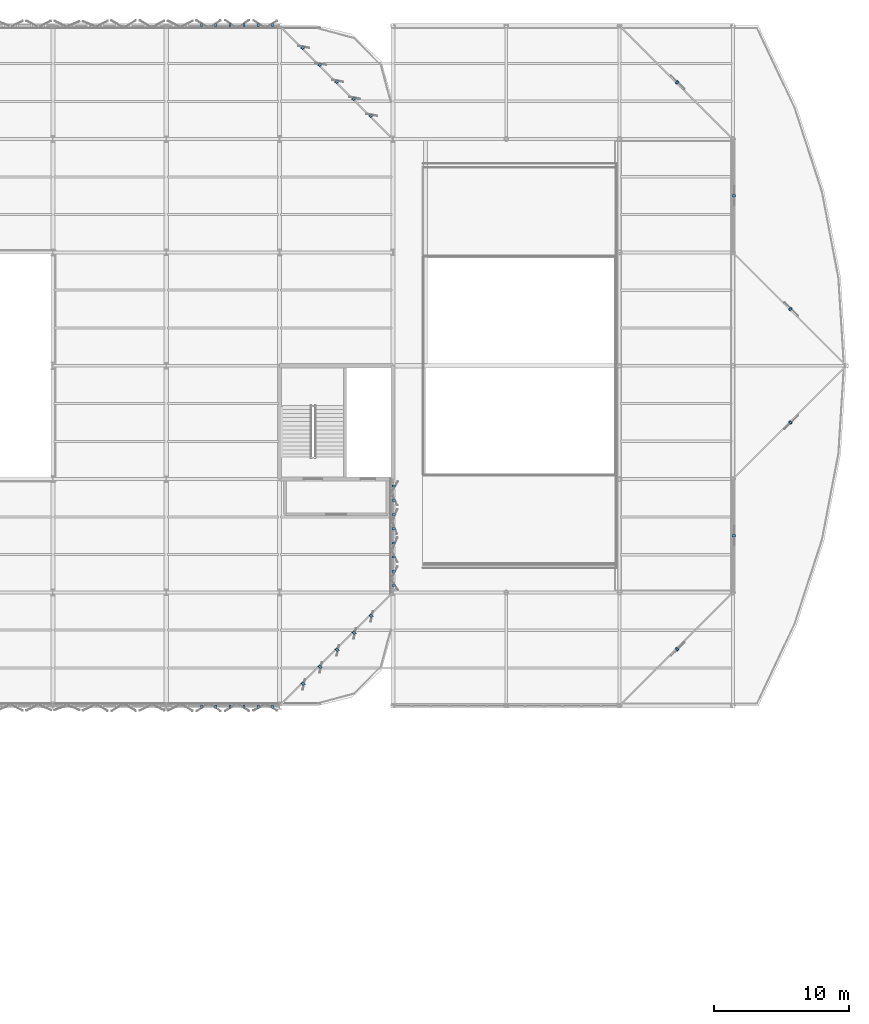
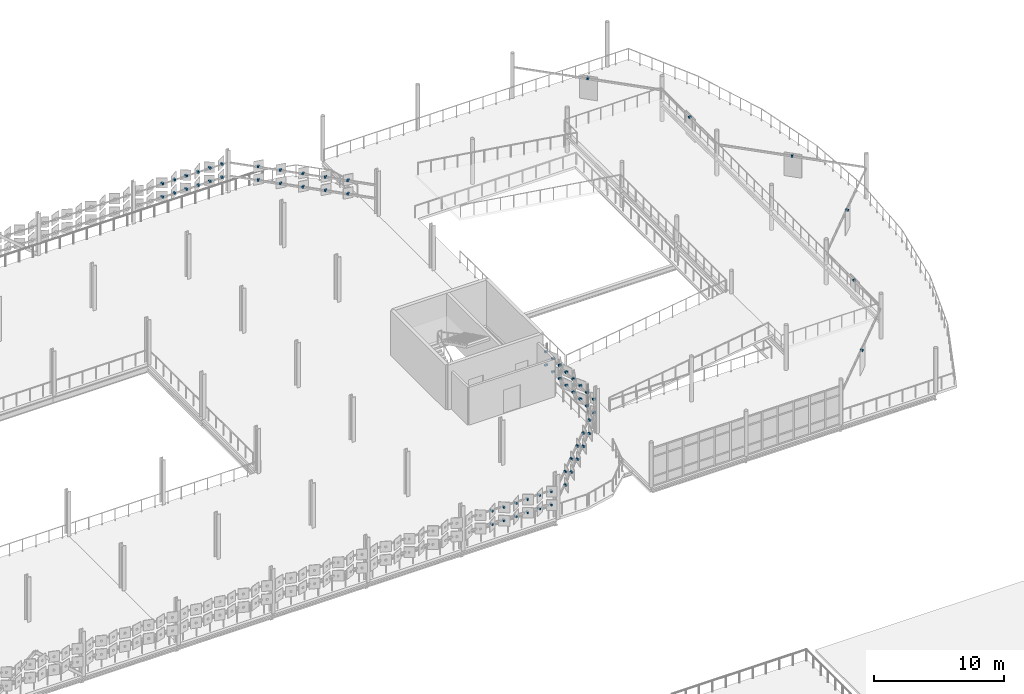
# One storey, part 61 of 69: 66 discrete accessories.
"""IFC4 building model written with IfcOpenShell, lengths in metres."""

from ifc_helpers import new_model, si_unit, direction, frame, origin, origin_2d, place, context, subcontext, project, spatial, rectangle, extrude, material, type_object, element, save


model = new_model("IFC4")

# Units and contexts
model_context = context("Model", 3, precision=1e-05, world=origin(), true_north=direction((0.0, 1.0)))
body_context = subcontext(model_context, "Body", "Model", "MODEL_VIEW")
ifc_project = project(units=[si_unit("LENGTHUNIT", "METRE"), si_unit("AREAUNIT", "SQUARE_METRE"), si_unit("VOLUMEUNIT", "CUBIC_METRE"), si_unit("PLANEANGLEUNIT", "RADIAN"), si_unit("MASSUNIT", "GRAM", prefix="KILO")], contexts=[model_context])

# Site, building, storey
site_placement = place(None, origin())
site = spatial("IfcSite", under=ifc_project, at=site_placement, CompositionType="ELEMENT")
building_placement = place(site_placement, origin())
building = spatial("IfcBuilding", under=site, at=building_placement, Name="Qalvenar Corner Mobility Hub", CompositionType="ELEMENT")
storey_placement = place(building_placement, frame((0.0, 0.0, 13.199951171875)))
storey = spatial("IfcBuildingStorey", under=building, at=storey_placement, Name="L03", CompositionType="ELEMENT", Elevation=13.199951171875)

# Discrete accessories
ifc_material = material(Name="Steel S355", Category="steel")
discrete_accessory_type = type_object("IfcDiscreteAccessoryType", Name="ACC-HINGE-BRK", PredefinedType="BRACKET", material=ifc_material)
for number, where, z_axis, x_axis, name in (
    (1, (128.625, 67.1201171875, 1.419921875), (0.0, 0.0, 1.0), (1.0, 0.0, 0.0), "Panel Hinge Bracket BK-L03-0837"),
    (2, (128.625, 67.1201171875, 2.669921875), (0.0, 0.0, 1.0), (1.0, 0.0, 0.0), "Panel Hinge Bracket BK-L03-0838"),
    (3, (129.675048828125, 67.1201171875, 1.419921875), (0.0, 0.0, 1.0), (1.0, 0.0, 0.0), "Panel Hinge Bracket BK-L03-0839"),
    (4, (129.675048828125, 67.1201171875, 2.669921875), (0.0, 0.0, 1.0), (1.0, 0.0, 0.0), "Panel Hinge Bracket BK-L03-0840"),
    (5, (130.72509765625, 67.1201171875, 1.419921875), (0.0, 0.0, 1.0), (1.0, 0.0, 0.0), "Panel Hinge Bracket BK-L03-0841"),
    (6, (130.72509765625, 67.1201171875, 2.669921875), (0.0, 0.0, 1.0), (1.0, 0.0, 0.0), "Panel Hinge Bracket BK-L03-0842"),
    (7, (131.77490234375, 67.1201171875, 1.419921875), (0.0, 0.0, 1.0), (1.0, 0.0, 0.0), "Panel Hinge Bracket BK-L03-0843"),
    (8, (131.77490234375, 67.1201171875, 2.669921875), (0.0, 0.0, 1.0), (1.0, 0.0, 0.0), "Panel Hinge Bracket BK-L03-0844"),
    (9, (132.824951171875, 67.1201171875, 1.419921875), (0.0, 0.0, 1.0), (1.0, 0.0, 0.0), "Panel Hinge Bracket BK-L03-0845"),
    (10, (132.824951171875, 67.1201171875, 2.669921875), (0.0, 0.0, 1.0), (1.0, 0.0, 0.0), "Panel Hinge Bracket BK-L03-0846"),
    (11, (133.875, 67.1201171875, 1.419921875), (0.0, 0.0, 1.0), (1.0, 0.0, 0.0), "Panel Hinge Bracket BK-L03-0847"),
    (12, (133.875, 67.1201171875, 2.669921875), (0.0, 0.0, 1.0), (1.0, 0.0, 0.0), "Panel Hinge Bracket BK-L03-0848"),
    (13, (133.875, 117.679931640625, 1.419921875), (0.0, 0.0, 1.0), (-1.0, 0.0, 0.0), "Panel Hinge Bracket BK-L03-0849"),
    (14, (133.875, 117.679931640625, 2.669921875), (0.0, 0.0, 1.0), (-1.0, 0.0, 0.0), "Panel Hinge Bracket BK-L03-0850"),
    (15, (132.824951171875, 117.679931640625, 1.419921875), (0.0, 0.0, 1.0), (-1.0, 0.0, 0.0), "Panel Hinge Bracket BK-L03-0851"),
    (16, (132.824951171875, 117.679931640625, 2.669921875), (0.0, 0.0, 1.0), (-1.0, 0.0, 0.0), "Panel Hinge Bracket BK-L03-0852"),
    (17, (131.77490234375, 117.679931640625, 1.419921875), (0.0, 0.0, 1.0), (-1.0, 0.0, 0.0), "Panel Hinge Bracket BK-L03-0853"),
    (18, (131.77490234375, 117.679931640625, 2.669921875), (0.0, 0.0, 1.0), (-1.0, 0.0, 0.0), "Panel Hinge Bracket BK-L03-0854"),
    (19, (130.72509765625, 117.679931640625, 1.419921875), (0.0, 0.0, 1.0), (-1.0, 0.0, 0.0), "Panel Hinge Bracket BK-L03-0855"),
    (20, (130.72509765625, 117.679931640625, 2.669921875), (0.0, 0.0, 1.0), (-1.0, 0.0, 0.0), "Panel Hinge Bracket BK-L03-0856"),
    (21, (129.675048828125, 117.679931640625, 1.419921875), (0.0, 0.0, 1.0), (-1.0, 0.0, 0.0), "Panel Hinge Bracket BK-L03-0857"),
    (22, (129.675048828125, 117.679931640625, 2.669921875), (0.0, 0.0, 1.0), (-1.0, 0.0, 0.0), "Panel Hinge Bracket BK-L03-0858"),
    (23, (128.625, 117.679931640625, 1.419921875), (0.0, 0.0, 1.0), (-1.0, 0.0, 0.0), "Panel Hinge Bracket BK-L03-0859"),
    (24, (128.625, 117.679931640625, 2.669921875), (0.0, 0.0, 1.0), (-1.0, 0.0, 0.0), "Panel Hinge Bracket BK-L03-0860"),
    (25, (142.8798828125, 76.125, 1.419921875), (0.0, 0.0, 1.0), (0.0, 1.0, 0.0), "Panel Hinge Bracket BK-L03-1025"),
    (26, (142.8798828125, 76.125, 2.669921875), (0.0, 0.0, 1.0), (0.0, 1.0, 0.0), "Panel Hinge Bracket BK-L03-1026"),
    (27, (142.8798828125, 77.175048828125, 1.419921875), (0.0, 0.0, 1.0), (0.0, 1.0, 0.0), "Panel Hinge Bracket BK-L03-1027"),
    (28, (142.8798828125, 77.175048828125, 2.669921875), (0.0, 0.0, 1.0), (0.0, 1.0, 0.0), "Panel Hinge Bracket BK-L03-1028"),
    (29, (142.8798828125, 78.22509765625, 1.419921875), (0.0, 0.0, 1.0), (0.0, 1.0, 0.0), "Panel Hinge Bracket BK-L03-1029"),
    (30, (142.8798828125, 78.22509765625, 2.669921875), (0.0, 0.0, 1.0), (0.0, 1.0, 0.0), "Panel Hinge Bracket BK-L03-1030"),
    (31, (142.8798828125, 79.27490234375, 1.419921875), (0.0, 0.0, 1.0), (0.0, 1.0, 0.0), "Panel Hinge Bracket BK-L03-1031"),
    (32, (142.8798828125, 79.27490234375, 2.669921875), (0.0, 0.0, 1.0), (0.0, 1.0, 0.0), "Panel Hinge Bracket BK-L03-1032"),
    (33, (142.8798828125, 80.324951171875, 1.419921875), (0.0, 0.0, 1.0), (0.0, 1.0, 0.0), "Panel Hinge Bracket BK-L03-1033"),
    (34, (142.8798828125, 80.324951171875, 2.669921875), (0.0, 0.0, 1.0), (0.0, 1.0, 0.0), "Panel Hinge Bracket BK-L03-1034"),
    (35, (142.8798828125, 81.375, 1.419921875), (0.0, 0.0, 1.0), (0.0, 1.0, 0.0), "Panel Hinge Bracket BK-L03-1035"),
    (36, (142.8798828125, 81.375, 2.669921875), (0.0, 0.0, 1.0), (0.0, 1.0, 0.0), "Panel Hinge Bracket BK-L03-1036"),
    (37, (142.8798828125, 82.425048828125, 1.419921875), (0.0, 0.0, 1.0), (0.0, 1.0, 0.0), "Panel Hinge Bracket BK-L03-1037"),
    (38, (142.8798828125, 82.425048828125, 2.669921875), (0.0, 0.0, 1.0), (0.0, 1.0, 0.0), "Panel Hinge Bracket BK-L03-1038"),
    (39, (142.8798828125, 83.47509765625, 1.419921875), (0.0, 0.0, 1.0), (0.0, 1.0, 0.0), "Panel Hinge Bracket BK-L03-1039"),
    (40, (142.8798828125, 83.47509765625, 2.669921875), (0.0, 0.0, 1.0), (0.0, 1.0, 0.0), "Panel Hinge Bracket BK-L03-1040"),
    (41, (136.13671875, 68.823486328125, 1.419921875), (0.0, 0.0, 1.0), (0.707106781187, 0.707106781187, 0.0), "Corner Hinge Bracket BKC-L03-1051"),
    (42, (137.396484375, 70.08349609375, 1.419921875), (0.0, 0.0, 1.0), (0.707106781187, 0.707106781187, 0.0), "Corner Hinge Bracket BKC-L03-1052"),
    (43, (138.656494140625, 71.343505859375, 1.419921875), (0.0, 0.0, 1.0), (0.707106781187, 0.707106781187, 0.0), "Corner Hinge Bracket BKC-L03-1053"),
    (44, (139.91650390625, 72.603515625, 1.419921875), (0.0, 0.0, 1.0), (0.707106781187, 0.707106781187, 0.0), "Corner Hinge Bracket BKC-L03-1054"),
    (45, (141.176513671875, 73.86328125, 1.419921875), (0.0, 0.0, 1.0), (0.707106781187, 0.707106781187, 0.0), "Corner Hinge Bracket BKC-L03-1055"),
    (46, (136.13671875, 68.823486328125, 2.669921875), (0.0, 0.0, 1.0), (0.707106781187, 0.707106781187, 0.0), "Corner Hinge Bracket BKC-L03-1056"),
    (47, (137.396484375, 70.08349609375, 2.669921875), (0.0, 0.0, 1.0), (0.707106781187, 0.707106781187, 0.0), "Corner Hinge Bracket BKC-L03-1057"),
    (48, (138.656494140625, 71.343505859375, 2.669921875), (0.0, 0.0, 1.0), (0.707106781187, 0.707106781187, 0.0), "Corner Hinge Bracket BKC-L03-1058"),
    (49, (139.91650390625, 72.603515625, 2.669921875), (0.0, 0.0, 1.0), (0.707106781187, 0.707106781187, 0.0), "Corner Hinge Bracket BKC-L03-1059"),
    (50, (141.176513671875, 73.86328125, 2.669921875), (0.0, 0.0, 1.0), (0.707106781187, 0.707106781187, 0.0), "Corner Hinge Bracket BKC-L03-1060"),
    (51, (141.176513671875, 110.9365234375, 1.419921875), (0.0, 0.0, 1.0), (-0.707106781187, 0.707106781187, 0.0), "Corner Hinge Bracket BKC-L03-1061"),
    (52, (139.91650390625, 112.196533203125, 1.419921875), (0.0, 0.0, 1.0), (-0.707106781187, 0.707106781187, 0.0), "Corner Hinge Bracket BKC-L03-1062"),
    (53, (138.656494140625, 113.45654296875, 1.419921875), (0.0, 0.0, 1.0), (-0.707106781187, 0.707106781187, 0.0), "Corner Hinge Bracket BKC-L03-1063"),
    (54, (137.396484375, 114.716552734375, 1.419921875), (0.0, 0.0, 1.0), (-0.707106781187, 0.707106781187, 0.0), "Corner Hinge Bracket BKC-L03-1064"),
    (55, (136.13671875, 115.9765625, 1.419921875), (0.0, 0.0, 1.0), (-0.707106781187, 0.707106781187, 0.0), "Corner Hinge Bracket BKC-L03-1065"),
    (56, (141.176513671875, 110.9365234375, 2.669921875), (0.0, 0.0, 1.0), (-0.707106781187, 0.707106781187, 0.0), "Corner Hinge Bracket BKC-L03-1066"),
    (57, (139.91650390625, 112.196533203125, 2.669921875), (0.0, 0.0, 1.0), (-0.707106781187, 0.707106781187, 0.0), "Corner Hinge Bracket BKC-L03-1067"),
    (58, (138.656494140625, 113.45654296875, 2.669921875), (0.0, 0.0, 1.0), (-0.707106781187, 0.707106781187, 0.0), "Corner Hinge Bracket BKC-L03-1068"),
    (59, (137.396484375, 114.716552734375, 2.669921875), (0.0, 0.0, 1.0), (-0.707106781187, 0.707106781187, 0.0), "Corner Hinge Bracket BKC-L03-1069"),
    (60, (136.13671875, 115.9765625, 2.669921875), (0.0, 0.0, 1.0), (-0.707106781187, 0.707106781187, 0.0), "Corner Hinge Bracket BKC-L03-1070"),
):
    element("IfcDiscreteAccessory", number, at=place(storey_placement, frame(where, z_axis=z_axis, x_axis=x_axis)), inside=storey, type_object=discrete_accessory_type, Name=name, PredefinedType="BRACKET", context=body_context, shape_type="SweptSolid", body=[
        extrude(rectangle(XDim=0.159912109375, YDim=0.260009765625, at=origin_2d()), origin(), (0.0, 0.0, 1.0), 0.159912109375),
    ])
for number, where, z_axis, x_axis, name in (
    (61, (163.860107421875, 71.39990234375, 2.77001953125), (0.0, 0.0, 1.0), (0.707106781187, 0.707106781187, 0.0), "Rotunda Screen Bracket BKV2-L03-1"),
    (62, (168.06005859375, 79.800048828125, 2.77001953125), (0.0, 0.0, 1.0), (0.0, 1.0, 0.0), "Rotunda Screen Bracket BKV2-L03-2"),
    (63, (172.260009765625, 88.199951171875, 2.77001953125), (0.0, 0.0, 1.0), (0.707106781187, 0.707106781187, 0.0), "Rotunda Screen Bracket BKV2-L03-3"),
    (64, (172.260009765625, 96.60009765625, 2.77001953125), (0.0, 0.0, 1.0), (-0.707106781187, 0.707106781187, 0.0), "Rotunda Screen Bracket BKV2-L03-4"),
    (65, (168.06005859375, 105.0, 2.77001953125), (0.0, 0.0, 1.0), (0.0, 1.0, 0.0), "Rotunda Screen Bracket BKV2-L03-5"),
    (66, (163.860107421875, 113.39990234375, 2.77001953125), (0.0, 0.0, 1.0), (-0.707106781187, 0.707106781187, 0.0), "Rotunda Screen Bracket BKV2-L03-6"),
):
    element("IfcDiscreteAccessory", number, at=place(storey_placement, frame(where, z_axis=z_axis, x_axis=x_axis)), inside=storey, type_object=discrete_accessory_type, Name=name, PredefinedType="BRACKET", context=body_context, shape_type="SweptSolid", body=[
        extrude(rectangle(XDim=0.159912109375, YDim=0.239990234375, at=origin_2d()), origin(), (0.0, 0.0, 1.0), 0.159912109375),
    ])

save(model, "model.ifc")
